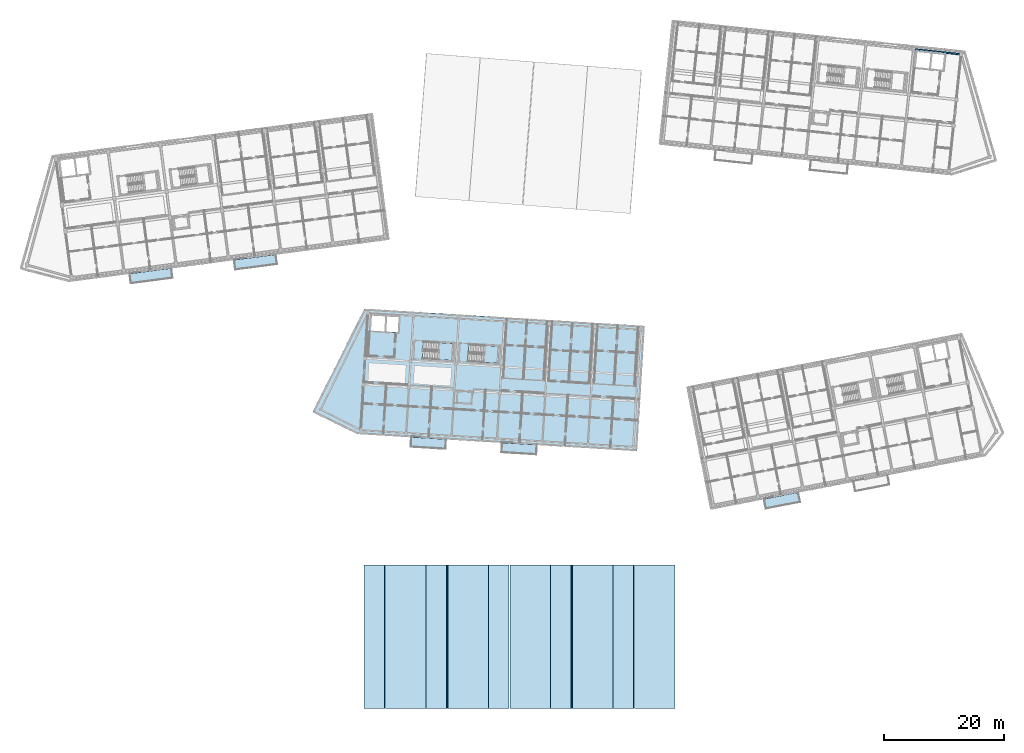
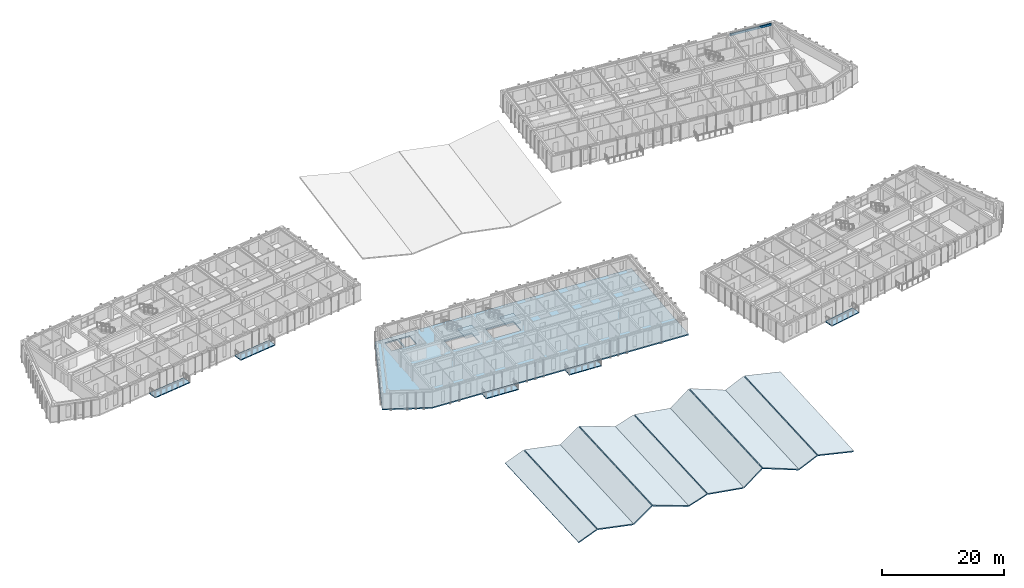
# One storey, part 15 of 74: 18 slabs, 1 beam, 2 elements without a shape of their own.
"""IFC4 building model written with IfcOpenShell, lengths in metres."""

from ifc_helpers import new_model, si_unit, direction, frame, origin, origin_2d, place, context, subcontext, project, spatial, polyline, rectangle, outline, extrude, material, layer, layer_set, material_profile, profile_set, type_object, element, aggregate, save


model = new_model("IFC4")

# Units and contexts
model_context = context("Model", 3, precision=1e-05, world=origin(), true_north=direction((0.0, 1.0)))
body_context = subcontext(model_context, "Body", "Model", "MODEL_VIEW")
ifc_project = project(units=[si_unit("LENGTHUNIT", "METRE"), si_unit("AREAUNIT", "SQUARE_METRE"), si_unit("VOLUMEUNIT", "CUBIC_METRE"), si_unit("PLANEANGLEUNIT", "RADIAN"), si_unit("MASSUNIT", "GRAM", prefix="KILO")], contexts=[model_context])

# Site, building, storey
site_placement = place(None, origin())
site = spatial("IfcSite", under=ifc_project, at=site_placement, CompositionType="ELEMENT")
building_placement = place(site_placement, origin())
building = spatial("IfcBuilding", under=site, at=building_placement, Name="Kestramere Prow Commons", CompositionType="ELEMENT")
storey_placement = place(building_placement, frame((0.0, 0.0, 11.64990234375)))
storey = spatial("IfcBuildingStorey", under=building, at=storey_placement, Name="L03", CompositionType="ELEMENT", Elevation=11.64990234375)

# Beam
ifc_material_1 = material(Name="Precast concrete C40/50", Category="concrete")
ifc_material_profile = material_profile(ifc_material_1, rectangle(XDim=0.25, YDim=0.39990234375, at=origin_2d()), Name="PC-SP 250x400")
ifc_profile_set = profile_set([ifc_material_profile], Name="Precast concrete C40/50")
beam_type = type_object("IfcBeamType", Name="SP-EXT-01 PC-SP 250x400", PredefinedType="SPANDREL", material=ifc_profile_set)
beam_placement = place(storey_placement, frame((152.10302734375, 110.082763671875, 2.800048828125), z_axis=(0.994520884665, -0.104538079019, 0.0), x_axis=(0.104538079019, 0.994520884665, 0.0)))
element("IfcBeam", 1, at=beam_placement, inside=storey, type_object=beam_type, Name="Block B L03 Longitudinal Beam 4-6", PredefinedType="SPANDREL", context=body_context, shape_type="SweptSolid", body=[
    extrude(rectangle(XDim=0.25, YDim=0.39990234375, at=origin_2d()), origin(), (0.0, 0.0, 1.0), 7.449951171875),
])

# Slabs
ifc_layer_1 = layer(ifc_material_1, 0.179931640625)
ifc_layer_set_1 = layer_set([ifc_layer_1], Name="Precast concrete C40/50")
slab_type_1 = type_object("IfcSlabType", Name="SL-BALC-180", PredefinedType="FLOOR", material=ifc_layer_set_1)
slab_1_placement = place(storey_placement, frame((0.0, 0.0, -0.179931640625)))
element("IfcSlab", 2, at=slab_1_placement, inside=storey, type_object=slab_type_1, Name="Block A L03 Apartment Balcony Slab 2", PredefinedType="FLOOR", context=body_context, shape_type="SweptSolid", body=[
    extrude(outline(polyline([(21.067626953125, 70.979248046875), (28.10693359375, 71.906005859375), (27.8916015625, 73.5419921875), (20.852294921875, 72.615234375), (21.067626953125, 70.979248046875)])), origin(), (0.0, 0.0, 1.0), 0.179931640625),
])
slab_2_placement = place(storey_placement, frame((0.0, 0.0, -0.179931640625)))
element("IfcSlab", 3, at=slab_2_placement, inside=storey, type_object=slab_type_1, Name="Block A L03 Apartment Balcony Slab 4", PredefinedType="FLOOR", context=body_context, shape_type="SweptSolid", body=[
    extrude(outline(polyline([(38.51708984375, 73.276611328125), (45.556396484375, 74.203369140625), (45.341064453125, 75.839111328125), (38.3017578125, 74.912353515625), (38.51708984375, 73.276611328125)])), origin(), (0.0, 0.0, 1.0), 0.179931640625),
])
slab_3_placement = place(storey_placement, frame((0.0, 0.0, -0.179931640625)))
element("IfcSlab", 4, at=slab_3_placement, inside=storey, type_object=slab_type_1, Name="Block C L03 Apartment Balcony Slab 2", PredefinedType="FLOOR", context=body_context, shape_type="SweptSolid", body=[
    extrude(outline(polyline([(67.7939453125, 43.6884765625), (73.682861328125, 43.328125), (73.783447265625, 44.97509765625), (67.89453125, 45.33544921875), (67.7939453125, 43.6884765625)])), origin(), (0.0, 0.0, 1.0), 0.179931640625),
])
slab_4_placement = place(storey_placement, frame((0.0, 0.0, -0.179931640625)))
element("IfcSlab", 5, at=slab_4_placement, inside=storey, type_object=slab_type_1, Name="Block C L03 Apartment Balcony Slab 4", PredefinedType="FLOOR", context=body_context, shape_type="SweptSolid", body=[
    extrude(outline(polyline([(82.965576171875, 42.760498046875), (88.8544921875, 42.400390625), (88.955322265625, 44.047119140625), (83.066162109375, 44.407470703125), (82.965576171875, 42.760498046875)])), origin(), (0.0, 0.0, 1.0), 0.179931640625),
])
slab_5_placement = place(storey_placement, frame((0.0, 0.0, -0.179931640625)))
element("IfcSlab", 6, at=slab_5_placement, inside=storey, type_object=slab_type_1, Name="Block D L03 Apartment Balcony Slab 2", PredefinedType="FLOOR", context=body_context, shape_type="SweptSolid", body=[
    extrude(outline(polyline([(127.133544921875, 33.3544921875), (132.92529296875, 34.48046875), (132.6103515625, 36.10009765625), (126.81884765625, 34.974365234375), (127.133544921875, 33.3544921875)])), origin(), (0.0, 0.0, 1.0), 0.179931640625),
])
ifc_layer_2 = layer(ifc_material_1, 0.25)
ifc_layer_set_2 = layer_set([ifc_layer_2], Name="Precast concrete C40/50")
slab_type_2 = type_object("IfcSlabType", Name="SL-HC-250", PredefinedType="FLOOR", material=ifc_layer_set_2)
slab_6_placement = place(storey_placement, frame((0.0, 0.0, -0.25)))
element("IfcSlab", 7, at=slab_6_placement, inside=storey, type_object=slab_type_2, Name="Block C L03 Hollowcore Floor Slab", PredefinedType="FLOOR", context=body_context, shape_type="SweptSolid", body=[
    extrude(outline(polyline([(51.52392578125, 49.5927734375), (58.8115234375, 45.890869140625), (105.6240234375, 43.02783203125), (106.89990234375, 63.888671875), (60.08740234375, 66.751953125), (51.52392578125, 49.5927734375)]), holes=[polyline([(61.168212890625, 63.129150390625), (63.464111328125, 62.98876953125), (63.61962890625, 65.533935546875), (61.323974609375, 65.67431640625), (61.168212890625, 63.129150390625)]), polyline([(63.713623046875, 62.973388671875), (65.709716796875, 62.851318359375), (65.865478515625, 65.396728515625), (63.869140625, 65.518798828125), (63.713623046875, 62.973388671875)]), polyline([(69.79833984375, 58.443603515625), (74.888916015625, 58.13232421875), (75.062744140625, 60.976806640625), (69.972412109375, 61.288330078125), (69.79833984375, 58.443603515625)]), polyline([(77.38427734375, 57.9794921875), (82.474609375, 57.668212890625), (82.648681640625, 60.512939453125), (77.55810546875, 60.82421875), (77.38427734375, 57.9794921875)])]), origin(), (0.0, 0.0, 1.0), 0.25),
])
ifc_layer_3 = layer(ifc_material_1, 0.219970703125)
ifc_layer_set_3 = layer_set([ifc_layer_3], Name="Precast concrete C40/50")
slab_type_3 = type_object("IfcSlabType", Name="SL-ROOF-FOLD-220", PredefinedType="ROOF", material=ifc_layer_set_3)
slab_7_placement = place(storey_placement, frame((60.0, 0.0, 0.5), z_axis=(-0.367752174562, -0.048367974217, 0.928665104963), x_axis=(0.929753302547, 0.0, 0.368183101734)))
element("IfcSlab", 8, at=slab_7_placement, inside=storey, type_object=slab_type_3, Name="Market Spine Folded Roof Pleat 1L", PredefinedType="ROOF", context=body_context, shape_type="SweptSolid", body=[
    extrude(outline(polyline([(0.0, 0.0), (3.6901274711538847, 0.0), (4.150356348321968, 24.0281228850824), (0.4602288771680831, 24.0281228850824), (0.0, 0.0)])), origin(), (0.0, 0.0, -1.0), 0.219970703125),
])
slab_8_placement = place(storey_placement, frame((63.64111328125, 0.0, 1.878662109375), z_axis=(0.199605263127, -0.05096614818, 0.978550045052), x_axis=(0.979823441856, 0.0, -0.19986501142)))
element("IfcSlab", 9, at=slab_8_placement, inside=storey, type_object=slab_type_3, Name="Market Spine Folded Roof Pleat 1R", PredefinedType="ROOF", context=body_context, shape_type="SweptSolid", body=[
    extrude(outline(polyline([(0.0, 0.0), (6.897966280230424, 0.0), (6.6481350159550665, 24.03123143618301), (-0.24983126427535723, 24.03123143618301), (0.0, 0.0)])), origin(), (0.0, 0.0, -1.0), 0.219970703125),
])
slab_9_placement = place(storey_placement, frame((70.39990234375, 0.0, 0.5), z_axis=(-0.576763898019, -0.042489850789, 0.815805135141), x_axis=(0.816542555953, 0.0, 0.577285245193)))
element("IfcSlab", 10, at=slab_9_placement, inside=storey, type_object=slab_type_3, Name="Market Spine Folded Roof Pleat 2L", PredefinedType="ROOF", context=body_context, shape_type="SweptSolid", body=[
    extrude(outline(polyline([(0.0, 0.0), (4.202049628321003, 2.7755575615628914e-17), (4.923656184812716, 24.021694028057812), (0.7216065564917127, 24.021694028057812), (0.0, 0.0)])), origin(), (0.0, 0.0, -1.0), 0.219970703125),
])
slab_10_placement = place(storey_placement, frame((74.041015625, 0.0, 2.9619140625), z_axis=(0.341835333147, -0.048879574068, 0.938487822111), x_axis=(0.939610958612, 0.0, -0.342244425019)))
element("IfcSlab", 11, at=slab_10_placement, inside=storey, type_object=slab_type_3, Name="Market Spine Folded Roof Pleat 2R", PredefinedType="ROOF", context=body_context, shape_type="SweptSolid", body=[
    extrude(outline(polyline([(0.0, 0.0), (7.193438030043871, -1.3877787807814457e-17), (6.765632498770499, 24.028722030674288), (-0.42780553127337245, 24.028722030674288), (0.0, 0.0)])), origin(), (0.0, 0.0, -1.0), 0.219970703125),
])
slab_11_placement = place(storey_placement, frame((80.800048828125, 0.0, 0.5), z_axis=(-0.308938409627, -0.049468472782, 0.949794677421), x_axis=(0.950958950132, 0.0, 0.309317111012)))
element("IfcSlab", 12, at=slab_11_placement, inside=storey, type_object=slab_type_3, Name="Market Spine Folded Roof Pleat 3L", PredefinedType="ROOF", context=body_context, shape_type="SweptSolid", body=[
    extrude(outline(polyline([(0.0, 0.0), (3.607840488435965, -1.3877787807814457e-17), (3.9944868772009183, 24.02941956373593), (0.386646388764953, 24.02941956373593), (0.0, 0.0)])), origin(), (0.0, 0.0, -1.0), 0.219970703125),
])
slab_12_placement = place(storey_placement, frame((84.44091796875, 0.0, 1.632568359375), z_axis=(0.16504208165, -0.051299557538, 0.984951504736), x_axis=(0.986250089515, 0.0, -0.165259677271)))
element("IfcSlab", 13, at=slab_12_placement, inside=storey, type_object=slab_type_3, Name="Market Spine Folded Roof Pleat 3R", PredefinedType="ROOF", context=body_context, shape_type="SweptSolid", body=[
    extrude(outline(polyline([(0.0, 0.0), (6.853264983174339, -6.938893903907228e-18), (6.646690386585048, 24.031642202230874), (-0.2065745965892905, 24.031642202230874), (0.0, 0.0)])), origin(), (0.0, 0.0, -1.0), 0.219970703125),
])
slab_13_placement = place(storey_placement, frame((91.199951171875, 0.0, 0.5), z_axis=(-0.606353379903, -0.04136036173, 0.79411894522), x_axis=(0.794799059447, 0.0, 0.606872684426)))
element("IfcSlab", 14, at=slab_13_placement, inside=storey, type_object=slab_type_3, Name="Market Spine Folded Roof Pleat 4L", PredefinedType="ROOF", context=body_context, shape_type="SweptSolid", body=[
    extrude(outline(polyline([(0.0, 0.0), (4.317006044443674, 0.0), (5.075596899976232, 24.02055452969191), (0.758590855532558, 24.02055452969191), (0.0, 0.0)])), origin(), (0.0, 0.0, -1.0), 0.219970703125),
])
slab_14_placement = place(storey_placement, frame((94.841064453125, 0.0, 3.15869140625), z_axis=(0.365623523472, -0.048411612562, 0.929502961186), x_axis=(0.930594110259, 0.0, -0.366052731108)))
element("IfcSlab", 15, at=slab_14_placement, inside=storey, type_object=slab_type_3, Name="Market Spine Folded Roof Pleat 4R", PredefinedType="ROOF", context=body_context, shape_type="SweptSolid", body=[
    extrude(outline(polyline([(0.0, 0.0), (7.263137740303003, 0.0), (6.805571826418261, 24.028173743221746), (-0.4575659138847416, 24.028173743221746), (0.0, 0.0)])), origin(), (0.0, 0.0, -1.0), 0.219970703125),
])
slab_15_placement = place(storey_placement, frame((101.60009765625, 0.0, 0.5), z_axis=(-0.411795498575, -0.047398062306, 0.91004279627), x_axis=(0.9110667622, 0.0, 0.412258844434)))
element("IfcSlab", 16, at=slab_15_placement, inside=storey, type_object=slab_type_3, Name="Market Spine Folded Roof Pleat 5L", PredefinedType="ROOF", context=body_context, shape_type="SweptSolid", body=[
    extrude(outline(polyline([(0.0, 0.0), (3.7658142580456833, 0.0), (4.281137813588185, 24.027004424877916), (0.5153235555425019, 24.02700442487792), (0.0, 0.0)])), origin(), (0.0, 0.0, -1.0), 0.219970703125),
])
slab_16_placement = place(storey_placement, frame((105.240966796875, 0.0, 2.07568359375), z_axis=(0.226743503706, -0.05065813433, 0.97263617913), x_axis=(0.97388659844, 0.0, -0.227035004744)))
element("IfcSlab", 17, at=slab_16_placement, inside=storey, type_object=slab_type_3, Name="Market Spine Folded Roof Pleat 5R", PredefinedType="ROOF", context=body_context, shape_type="SweptSolid", body=[
    extrude(outline(polyline([(0.0, 0.0), (6.940267187116006, 0.0), (6.656473431186277, 24.030854356516233), (-0.28379375592972805, 24.030854356516233), (0.0, 0.0)])), origin(), (0.0, 0.0, -1.0), 0.219970703125),
])

# Stair, slab
ifc_material_2 = material(Name="Concrete C40/50", Category="concrete")
stair_type = type_object("IfcStairType", Name="ST-DOG-1350", PredefinedType="HALF_TURN_STAIR", material=ifc_material_2)
stair_1_placement = place(storey_placement, origin())
stair_1 = element("IfcStair", 18, at=stair_1_placement, inside=storey, type_object=stair_type, Name="L03 Block C Exit Stair 1", PredefinedType="HALF_TURN_STAIR")
ifc_layer_4 = layer(ifc_material_2, 0.199951171875)
ifc_layer_set_4 = layer_set([ifc_layer_4], Name="Concrete C40/50")
slab_type_4 = type_object("IfcSlabType", Name="SL-ST-LAND-200", PredefinedType="LANDING", material=ifc_layer_set_4)
slab_17_placement = place(storey_placement, frame((0.0, 0.0, 1.425048828125)))
slab_17 = element("IfcSlab", 19, at=slab_17_placement, type_object=slab_type_4, Name="ST-C1 landing 1", PredefinedType="LANDING", context=body_context, shape_type="SweptSolid", body=[
    extrude(outline(polyline([(72.313720703125, 58.289794921875), (74.888916015625, 58.13232421875), (75.062744140625, 60.976806640625), (72.487548828125, 61.134521484375), (72.313720703125, 58.289794921875)])), origin(), (0.0, 0.0, 1.0), 0.199951171875),
])
aggregate(stair_1, [slab_17])

stair_2_placement = place(storey_placement, origin())
stair_2 = element("IfcStair", 20, at=stair_2_placement, inside=storey, type_object=stair_type, Name="L03 Block C Exit Stair 2", PredefinedType="HALF_TURN_STAIR")
slab_18_placement = place(storey_placement, frame((0.0, 0.0, 1.425048828125)))
slab_18 = element("IfcSlab", 21, at=slab_18_placement, type_object=slab_type_4, Name="ST-C2 landing 1", PredefinedType="LANDING", context=body_context, shape_type="SweptSolid", body=[
    extrude(outline(polyline([(79.8994140625, 57.82568359375), (82.474609375, 57.668212890625), (82.648681640625, 60.512939453125), (80.073486328125, 60.67041015625), (79.8994140625, 57.82568359375)])), origin(), (0.0, 0.0, 1.0), 0.199951171875),
])
aggregate(stair_2, [slab_18])

save(model, "model.ifc")
